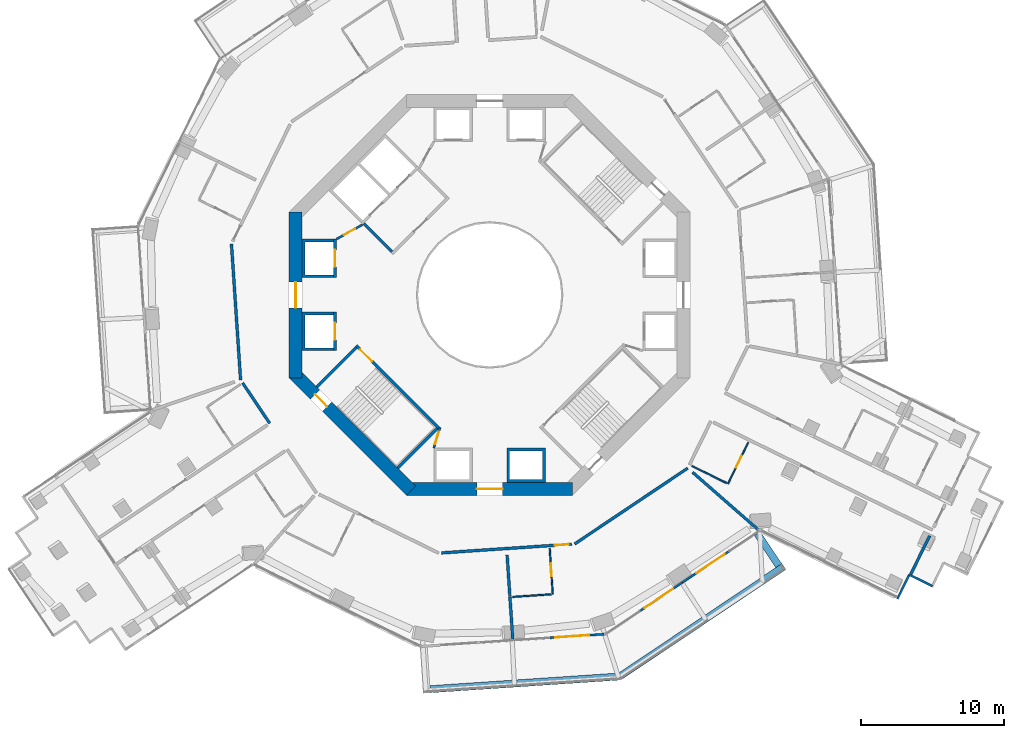
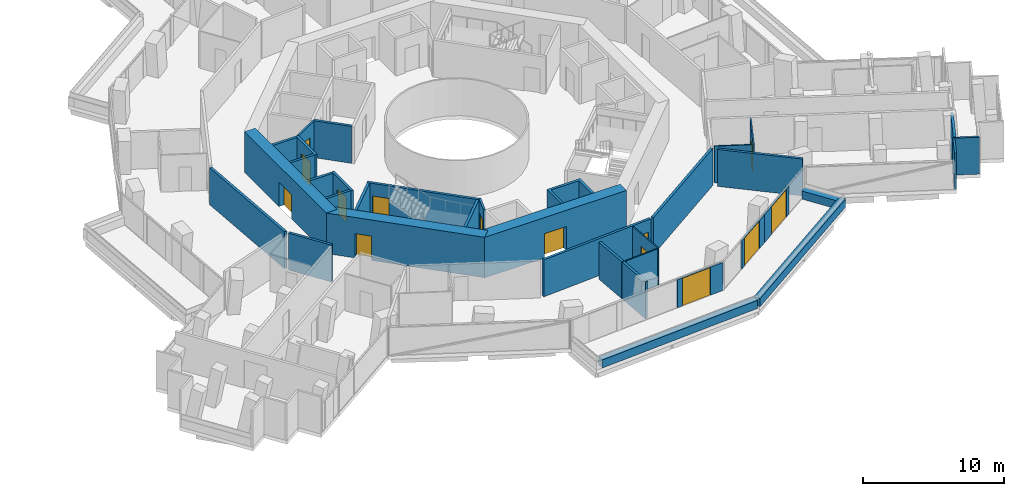
# One storey, part 18 of 25: 34 walls, 14 doors, 14 openings.
"""IFC4 building model written with IfcOpenShell, lengths in metres."""

from ifc_helpers import new_model, si_unit, direction, frame, frame_2d, origin, place, context, subcontext, project, spatial, polyline, rectangle, outline, extrude, material, layer, layer_set, type_object, element, fill, save


model = new_model("IFC4")

# Units and contexts
model_context = context("Model", 3, precision=1e-05, world=origin(), true_north=direction((0.0, 1.0)))
body_context = subcontext(model_context, "Body", "Model", "MODEL_VIEW")
ifc_project = project(units=[si_unit("LENGTHUNIT", "METRE"), si_unit("AREAUNIT", "SQUARE_METRE"), si_unit("VOLUMEUNIT", "CUBIC_METRE"), si_unit("PLANEANGLEUNIT", "RADIAN"), si_unit("MASSUNIT", "GRAM", prefix="KILO")], contexts=[model_context])

# Site, building, storey
site_placement = place(None, origin())
site = spatial("IfcSite", under=ifc_project, at=site_placement, CompositionType="ELEMENT")
building_placement = place(site_placement, origin())
building = spatial("IfcBuilding", under=site, at=building_placement, Name="Verdalira Terraces Hotel", CompositionType="ELEMENT")
storey_placement = place(building_placement, frame((0.0, 0.0, 49.5)))
storey = spatial("IfcBuildingStorey", under=building, at=storey_placement, Name="L10", CompositionType="ELEMENT", Elevation=49.5)

# Walls
ifc_material_1 = material(Name="Concrete C40", Category="concrete")
ifc_layer_1 = layer(ifc_material_1, 0.5)
ifc_layer_set_1 = layer_set([ifc_layer_1], Name="Balcony planter trough with tree")
wall_type_1 = type_object("IfcWallType", Name="Balcony planter trough with tree", PredefinedType="SOLIDWALL", material=ifc_layer_set_1)
wall_1_placement = place(storey_placement, frame((-4.164307, -27.549072, 0.0), z_axis=(0.0, 0.0, 1.0), x_axis=(0.997755321, 0.066965055, 0.0)))
element("IfcWall", 1, at=wall_1_placement, inside=storey, type_object=wall_type_1, Name="Balcony planter", PredefinedType="SOLIDWALL", context=body_context, shape_type="SweptSolid", body=[
    extrude(rectangle(XDim=13.223389, YDim=0.5, at=frame_2d((6.611816, 0.0))), origin(), (0.0, 0.0, 1.0), 0.699951),
])
wall_2_placement = place(storey_placement, frame((9.151855, -26.621582, 0.0), z_axis=(0.0, 0.0, 1.0), x_axis=(0.830602367, 0.55686597, 0.0)))
element("IfcWall", 2, at=wall_2_placement, inside=storey, type_object=wall_type_1, Name="Balcony planter", PredefinedType="SOLIDWALL", context=body_context, shape_type="SweptSolid", body=[
    extrude(rectangle(XDim=13.723389, YDim=0.5, at=frame_2d((6.861816, 0.0))), origin(), (0.0, 0.0, 1.0), 0.699951),
])
wall_3_placement = place(storey_placement, frame((20.203613, -18.910889, 0.0), z_axis=(0.0, 0.0, 1.0), x_axis=(-0.556869339, 0.830600108, 0.0)))
element("IfcWall", 3, at=wall_3_placement, inside=storey, type_object=wall_type_1, Name="Balcony planter", PredefinedType="SOLIDWALL", context=body_context, shape_type="SweptSolid", body=[
    extrude(rectangle(XDim=2.698975, YDim=0.5, at=frame_2d((1.349609, 0.0))), origin(), (0.0, 0.0, 1.0), 0.699951),
])
ifc_material_2 = material(Name="Moisture-resistant gypsum board partition")
ifc_layer_2 = layer(ifc_material_2, 0.10009765625)
ifc_layer_set_2 = layer_set([ifc_layer_2], Name="Bathroom partition 100 mm")
wall_type_2 = type_object("IfcWallType", Name="Bathroom partition 100 mm", PredefinedType="PARTITIONING", material=ifc_layer_set_2)
wall_4_placement = place(storey_placement, frame((4.310547, -20.916504, 0.0), z_axis=(0.0, 0.0, 1.0), x_axis=(-0.997753036, -0.066999094, 0.0)))
element("IfcWall", 4, at=wall_4_placement, inside=storey, type_object=wall_type_2, Name="Bathroom partition", PredefinedType="PARTITIONING", context=body_context, shape_type="SweptSolid", body=[
    extrude(rectangle(XDim=2.700195, YDim=0.100098, at=frame_2d((1.350098, 0.0))), origin(), (0.0, 0.0, 1.0), 3.189941),
])

# Wall, opening, door
wall_5_placement = place(storey_placement, frame((4.410156, -20.909912, 0.0), z_axis=(0.0, 0.0, 1.0), x_axis=(-0.06698486, 0.997753992, 0.0)))
wall_5 = element("IfcWall", 5, at=wall_5_placement, inside=storey, type_object=wall_type_2, Name="Bathroom partition", PredefinedType="PARTITIONING", context=body_context, shape_type="SweptSolid", body=[
    extrude(rectangle(XDim=3.199951, YDim=0.100098, at=frame_2d((1.600098, 0.0))), origin(), (0.0, 0.0, 1.0), 3.189941),
])
opening_1_placement = place(wall_5_placement, frame((1.25, 0.0, 0.0)))
opening_1 = element("IfcOpeningElement", 6, at=opening_1_placement, cuts=wall_5, Name="Opening L10-124", PredefinedType="OPENING", context=body_context, shape_type="SweptSolid", body=[
    extrude(rectangle(XDim=0.899902, YDim=2.100098, at=frame_2d((0.449951, 1.050049))), frame((0.0, 0.060059, 0.0), z_axis=(0.0, -1.0, 0.0), x_axis=(1.0, 0.0, 0.0)), (0.0, 0.0, 1.0), 0.120117),
])
ifc_material_3 = material(Name="Timber door", Category="wood")
door_type_1 = type_object("IfcDoorType", Name="Bathroom door 900 x 2100", OperationType="NOTDEFINED", PredefinedType="DOOR", material=ifc_material_3)
door_1_placement = place(opening_1_placement, origin())
door_1 = element("IfcDoor", 7, at=door_1_placement, inside=storey, type_object=door_type_1, Name="Bathroom door 1010", OperationType="SINGLE_SWING_LEFT", OverallHeight=2.10009765625, OverallWidth=0.89990234375, PredefinedType="DOOR", context=body_context, shape_type="SweptSolid", body=[
    extrude(rectangle(XDim=0.899902, YDim=2.100098, at=frame_2d((0.449951, 1.050049))), frame((0.0, 0.024902, 0.0), z_axis=(0.0, -1.0, 0.0), x_axis=(1.0, 0.0, 0.0)), (0.0, 0.0, 1.0), 0.050049),
])
fill(opening_1, door_1)

# Wall
wall_6_placement = place(storey_placement, frame((16.55835, -13.146973, 0.0), z_axis=(0.0, 0.0, 1.0), x_axis=(-0.897569392, 0.44087321, 0.0)))
element("IfcWall", 8, at=wall_6_placement, inside=storey, type_object=wall_type_2, Name="Bathroom partition", PredefinedType="PARTITIONING", context=body_context, shape_type="SweptSolid", body=[
    extrude(rectangle(XDim=2.700195, YDim=0.100098, at=frame_2d((1.350098, 0.0))), origin(), (0.0, 0.0, 1.0), 3.189941),
])

# Wall, opening, door
wall_7_placement = place(storey_placement, frame((16.647949, -13.190918, 0.0), z_axis=(0.0, 0.0, 1.0), x_axis=(0.440915741, 0.8975485, 0.0)))
wall_7 = element("IfcWall", 9, at=wall_7_placement, inside=storey, type_object=wall_type_2, Name="Bathroom partition", PredefinedType="PARTITIONING", context=body_context, shape_type="SweptSolid", body=[
    extrude(rectangle(XDim=3.199951, YDim=0.100098, at=frame_2d((1.600098, 0.0))), origin(), (0.0, 0.0, 1.0), 3.189941),
])
opening_2_placement = place(wall_7_placement, frame((1.25, 0.0, 0.0)))
opening_2 = element("IfcOpeningElement", 10, at=opening_2_placement, cuts=wall_7, Name="Opening L10-126", PredefinedType="OPENING", context=body_context, shape_type="SweptSolid", body=[
    extrude(rectangle(XDim=0.899902, YDim=2.100098, at=frame_2d((0.449951, 1.050049))), frame((0.0, 0.060059, 0.0), z_axis=(0.0, -1.0, 0.0), x_axis=(1.0, 0.0, 0.0)), (0.0, 0.0, 1.0), 0.120117),
])
door_2_placement = place(opening_2_placement, origin())
door_2 = element("IfcDoor", 11, at=door_2_placement, inside=storey, type_object=door_type_1, Name="Bathroom door 1011", OperationType="SINGLE_SWING_LEFT", OverallHeight=2.10009765625, OverallWidth=0.89990234375, PredefinedType="DOOR", context=body_context, shape_type="SweptSolid", body=[
    extrude(rectangle(XDim=0.899902, YDim=2.100098, at=frame_2d((0.449951, 1.050049))), frame((0.0, 0.024902, 0.0), z_axis=(0.0, -1.0, 0.0), x_axis=(1.0, 0.0, 0.0)), (0.0, 0.0, 1.0), 0.050049),
])
fill(opening_2, door_2)

# Wall
ifc_material_4 = material(Name="Concrete C50", Category="concrete")
ifc_layer_3 = layer(ifc_material_4, 0.199951171875)
ifc_layer_set_3 = layer_set([ifc_layer_3], Name="Core RC wall 200 C50")
wall_type_3 = type_object("IfcWallType", Name="Core RC wall 200 C50", PredefinedType="SOLIDWALL", material=ifc_layer_set_3)
wall_8_placement = place(storey_placement, origin())
element("IfcWall", 12, at=wall_8_placement, inside=storey, type_object=wall_type_3, Name="L10 shaft wall W1", PredefinedType="SOLIDWALL", context=body_context, shape_type="SweptSolid", body=[
    extrude(outline(polyline([(-13.100098, 3.899902), (-10.899902, 3.899902), (-10.899902, 3.699951), (-12.899902, 3.699951), (-12.899902, 1.399902), (-10.899902, 1.399902), (-10.899902, 1.199951), (-13.100098, 1.199951), (-13.100098, 3.899902)])), origin(), (0.0, 0.0, 1.0), 3.189941),
])

# Wall, opening, door
wall_9_placement = place(storey_placement, frame((-10.800049, 1.199951, 0.0), z_axis=(0.0, 0.0, 1.0), x_axis=(0.0, 1.0, 0.0)))
wall_9 = element("IfcWall", 13, at=wall_9_placement, inside=storey, type_object=wall_type_3, Name="L10 shaft front wall W1", PredefinedType="SOLIDWALL", context=body_context, shape_type="SweptSolid", body=[
    extrude(rectangle(XDim=2.699951, YDim=0.199951, at=frame_2d((1.350098, 0.0))), origin(), (0.0, 0.0, 1.0), 3.189941),
])
opening_3_placement = place(wall_9_placement, frame((0.75, 0.0, 0.0)))
opening_3 = element("IfcOpeningElement", 14, at=opening_3_placement, cuts=wall_9, Name="Opening LD-L10-805", PredefinedType="OPENING", context=body_context, shape_type="SweptSolid", body=[
    extrude(rectangle(XDim=1.199951, YDim=2.100098, at=frame_2d((0.600098, 1.050049))), frame((0.0, 0.109863, 0.0), z_axis=(0.0, -1.0, 0.0), x_axis=(1.0, 0.0, 0.0)), (0.0, 0.0, 1.0), 0.219971),
])
ifc_material_5 = material(Name="Stainless steel", Category="steel")
door_type_2 = type_object("IfcDoorType", Name="Landing door 1200 x 2100", OperationType="NOTDEFINED", PredefinedType="DOOR", material=ifc_material_5)
door_3_placement = place(opening_3_placement, origin())
door_3 = element("IfcDoor", 15, at=door_3_placement, inside=storey, type_object=door_type_2, Name="Lift landing door LR5 L10", OperationType="DOUBLE_DOOR_SLIDING", OverallHeight=2.10009765625, OverallWidth=1.199951171875, PredefinedType="DOOR", context=body_context, shape_type="SweptSolid", body=[
    extrude(rectangle(XDim=1.199951, YDim=2.100098, at=frame_2d((0.600098, 1.050049))), frame((0.0, 0.024902, 0.0), z_axis=(0.0, -1.0, 0.0), x_axis=(1.0, 0.0, 0.0)), (0.0, 0.0, 1.0), 0.050049),
])
fill(opening_3, door_3)

# Wall
wall_10_placement = place(storey_placement, origin())
element("IfcWall", 16, at=wall_10_placement, inside=storey, type_object=wall_type_3, Name="L10 shaft wall W2", PredefinedType="SOLIDWALL", context=body_context, shape_type="SweptSolid", body=[
    extrude(outline(polyline([(-13.100098, -3.899902), (-13.100098, -1.199951), (-10.899902, -1.199951), (-10.899902, -1.399902), (-12.899902, -1.399902), (-12.899902, -3.699951), (-10.899902, -3.699951), (-10.899902, -3.899902), (-13.100098, -3.899902)])), origin(), (0.0, 0.0, 1.0), 3.189941),
])

# Wall, opening, door
wall_11_placement = place(storey_placement, frame((-10.800049, -1.199951, 0.0), z_axis=(0.0, 0.0, 1.0), x_axis=(0.0, -1.0, 0.0)))
wall_11 = element("IfcWall", 17, at=wall_11_placement, inside=storey, type_object=wall_type_3, Name="L10 shaft front wall W2", PredefinedType="SOLIDWALL", context=body_context, shape_type="SweptSolid", body=[
    extrude(rectangle(XDim=2.699951, YDim=0.199951, at=frame_2d((1.350098, 0.0))), origin(), (0.0, 0.0, 1.0), 3.189941),
])
opening_4_placement = place(wall_11_placement, frame((0.75, 0.0, 0.0)))
opening_4 = element("IfcOpeningElement", 18, at=opening_4_placement, cuts=wall_11, Name="Opening LD-L10-806", PredefinedType="OPENING", context=body_context, shape_type="SweptSolid", body=[
    extrude(rectangle(XDim=1.199951, YDim=2.100098, at=frame_2d((0.600098, 1.050049))), frame((0.0, 0.109863, 0.0), z_axis=(0.0, -1.0, 0.0), x_axis=(1.0, 0.0, 0.0)), (0.0, 0.0, 1.0), 0.219971),
])
door_4_placement = place(opening_4_placement, origin())
door_4 = element("IfcDoor", 19, at=door_4_placement, inside=storey, type_object=door_type_2, Name="Lift landing door LR6 L10", OperationType="DOUBLE_DOOR_SLIDING", OverallHeight=2.10009765625, OverallWidth=1.199951171875, PredefinedType="DOOR", context=body_context, shape_type="SweptSolid", body=[
    extrude(rectangle(XDim=1.199951, YDim=2.100098, at=frame_2d((0.600098, 1.050049))), frame((0.0, 0.024902, 0.0), z_axis=(0.0, -1.0, 0.0), x_axis=(1.0, 0.0, 0.0)), (0.0, 0.0, 1.0), 0.050049),
])
fill(opening_4, door_4)

# Wall
wall_12_placement = place(storey_placement, origin())
element("IfcWall", 20, at=wall_12_placement, inside=storey, type_object=wall_type_3, Name="L10 shaft wall S2", PredefinedType="SOLIDWALL", context=body_context, shape_type="SweptSolid", body=[
    extrude(outline(polyline([(3.899902, -10.699951), (3.899902, -13.100098), (1.199951, -13.100098), (1.199951, -10.699951), (3.899902, -10.699951)]), holes=[polyline([(1.399902, -12.899902), (3.699951, -12.899902), (3.699951, -10.899902), (1.399902, -10.899902), (1.399902, -12.899902)])]), origin(), (0.0, 0.0, 1.0), 3.189941),
])

# Wall, opening, door
wall_13_placement = place(storey_placement, frame((-3.5354, -9.33374, 0.0), z_axis=(0.0, 0.0, 1.0), x_axis=(-0.707106781, 0.707106781, 0.0)))
wall_13 = element("IfcWall", 21, at=wall_13_placement, inside=storey, type_object=wall_type_3, Name="L10 stair ST2 front wall", PredefinedType="SOLIDWALL", context=body_context, shape_type="SweptSolid", body=[
    extrude(rectangle(XDim=8.200195, YDim=0.199951, at=frame_2d((4.100098, 0.0))), origin(), (0.0, 0.0, 1.0), 3.189941),
])
opening_5_placement = place(wall_13_placement, frame((6.600098, 0.0, 0.0)))
opening_5 = element("IfcOpeningElement", 22, at=opening_5_placement, cuts=wall_13, Name="Opening L10-810", PredefinedType="OPENING", context=body_context, shape_type="SweptSolid", body=[
    extrude(rectangle(XDim=1.199951, YDim=2.100098, at=frame_2d((0.600098, 1.050049))), frame((0.0, 0.109863, 0.0), z_axis=(0.0, -1.0, 0.0), x_axis=(1.0, 0.0, 0.0)), (0.0, 0.0, 1.0), 0.219971),
])
ifc_material_6 = material(Name="Steel fire door", Category="steel")
door_type_3 = type_object("IfcDoorType", Name="Stair door 1200 x 2100", OperationType="NOTDEFINED", PredefinedType="DOOR", material=ifc_material_6)
door_5_placement = place(opening_5_placement, origin())
door_5 = element("IfcDoor", 23, at=door_5_placement, inside=storey, type_object=door_type_3, Name="Stair door ST2 L10", OperationType="SINGLE_SWING_RIGHT", OverallHeight=2.10009765625, OverallWidth=1.199951171875, PredefinedType="DOOR", context=body_context, shape_type="SweptSolid", body=[
    extrude(rectangle(XDim=1.199951, YDim=2.100098, at=frame_2d((0.600098, 1.050049))), frame((0.0, 0.024902, 0.0), z_axis=(0.0, -1.0, 0.0), x_axis=(1.0, 0.0, 0.0)), (0.0, 0.0, 1.0), 0.050049),
])
fill(opening_5, door_5)

# Walls
for number, where, z_axis, x_axis, name in (
    (24, (-9.33374, -3.677002, 0.0), (0.0, 0.0, 1.0), (-0.707106781, -0.707106781, 0.0), "L10 stair ST2 end wall 1"),
    (25, (-3.677002, -9.33374, 0.0), (0.0, 0.0, 1.0), (-0.707106781, -0.707106781, 0.0), "L10 stair ST2 end wall 2"),
):
    element("IfcWall", number, at=place(storey_placement, frame(where, z_axis=z_axis, x_axis=x_axis)), inside=storey, type_object=wall_type_3, Name=name, PredefinedType="SOLIDWALL", context=body_context, shape_type="SweptSolid", body=[
        extrude(rectangle(XDim=3.900146, YDim=0.199951, at=frame_2d((1.950195, 0.0))), origin(), (0.0, 0.0, 1.0), 3.189941),
    ])
wall_14_placement = place(storey_placement, frame((-6.823486, 3.005127, 0.0), z_axis=(0.0, 0.0, 1.0), x_axis=(-0.707106781, 0.707106781, 0.0)))
element("IfcWall", 26, at=wall_14_placement, inside=storey, type_object=wall_type_3, Name="L10 fire lobby wall", PredefinedType="SOLIDWALL", context=body_context, shape_type="SweptSolid", body=[
    extrude(rectangle(XDim=2.800049, YDim=0.199951, at=frame_2d((1.399902, 0.0))), origin(), (0.0, 0.0, 1.0), 3.189941),
])

# Wall, opening, door
ifc_material_7 = material(Name="Gypsum board partition")
ifc_layer_4 = layer(ifc_material_7, 0.14990234375)
ifc_layer_set_4 = layer_set([ifc_layer_4], Name="Core partition 150 mm")
wall_type_4 = type_object("IfcWallType", Name="Core partition 150 mm", PredefinedType="PARTITIONING", material=ifc_layer_set_4)
wall_15_placement = place(storey_placement, frame((-8.874268, 4.914307, 0.0), z_axis=(0.0, 0.0, 1.0), x_axis=(-0.874129705, -0.485692555, 0.0)))
wall_15 = element("IfcWall", 27, at=wall_15_placement, inside=storey, type_object=wall_type_4, Name="Room partition L10", PredefinedType="PARTITIONING", context=body_context, shape_type="SweptSolid", body=[
    extrude(rectangle(XDim=2.088623, YDim=0.149902, at=frame_2d((1.044434, 0.0))), origin(), (0.0, 0.0, 1.0), 3.189941),
])
opening_6_placement = place(wall_15_placement, frame((0.594238, 0.0, 0.0)))
opening_6 = element("IfcOpeningElement", 28, at=opening_6_placement, cuts=wall_15, Name="Opening L10-822", PredefinedType="OPENING", context=body_context, shape_type="SweptSolid", body=[
    extrude(rectangle(XDim=0.899902, YDim=2.100098, at=frame_2d((0.449951, 1.050049))), frame((0.0, 0.084961, 0.0), z_axis=(0.0, -1.0, 0.0), x_axis=(1.0, 0.0, 0.0)), (0.0, 0.0, 1.0), 0.169922),
])
ifc_material_8 = material(Name="Steel fire door", Category="steel")
door_type_4 = type_object("IfcDoorType", Name="Core room door 900 x 2100", OperationType="NOTDEFINED", PredefinedType="DOOR", material=ifc_material_8)
door_6_placement = place(opening_6_placement, origin())
door_6 = element("IfcDoor", 29, at=door_6_placement, inside=storey, type_object=door_type_4, Name="Door L10 room3", OperationType="SINGLE_SWING_LEFT", OverallHeight=2.10009765625, OverallWidth=0.89990234375, PredefinedType="DOOR", context=body_context, shape_type="SweptSolid", body=[
    extrude(rectangle(XDim=0.899902, YDim=2.100098, at=frame_2d((0.449951, 1.050049))), frame((0.0, 0.024902, 0.0), z_axis=(0.0, -1.0, 0.0), x_axis=(1.0, 0.0, 0.0)), (0.0, 0.0, 1.0), 0.050049),
])
fill(opening_6, door_6)

wall_16_placement = place(storey_placement, frame((-3.464844, -9.263184, 0.0), z_axis=(0.0, 0.0, 1.0), x_axis=(-0.289808785, -0.957084567, 0.0)))
wall_16 = element("IfcWall", 30, at=wall_16_placement, inside=storey, type_object=wall_type_4, Name="Room partition L10", PredefinedType="PARTITIONING", context=body_context, shape_type="SweptSolid", body=[
    extrude(rectangle(XDim=1.501221, YDim=0.149902, at=frame_2d((0.750488, 0.0))), origin(), (0.0, 0.0, 1.0), 3.189941),
])
opening_7_placement = place(wall_16_placement, frame((0.300781, 0.0, 0.0)))
opening_7 = element("IfcOpeningElement", 31, at=opening_7_placement, cuts=wall_16, Name="Opening L10-823", PredefinedType="OPENING", context=body_context, shape_type="SweptSolid", body=[
    extrude(rectangle(XDim=0.899902, YDim=2.100098, at=frame_2d((0.449951, 1.050049))), frame((0.0, 0.084961, 0.0), z_axis=(0.0, -1.0, 0.0), x_axis=(1.0, 0.0, 0.0)), (0.0, 0.0, 1.0), 0.169922),
])
door_7_placement = place(opening_7_placement, origin())
door_7 = element("IfcDoor", 32, at=door_7_placement, inside=storey, type_object=door_type_4, Name="Door L10 room5", OperationType="SINGLE_SWING_LEFT", OverallHeight=2.10009765625, OverallWidth=0.89990234375, PredefinedType="DOOR", context=body_context, shape_type="SweptSolid", body=[
    extrude(rectangle(XDim=0.899902, YDim=2.100098, at=frame_2d((0.449951, 1.050049))), frame((0.0, 0.024902, 0.0), z_axis=(0.0, -1.0, 0.0), x_axis=(1.0, 0.0, 0.0)), (0.0, 0.0, 1.0), 0.050049),
])
fill(opening_7, door_7)

ifc_material_9 = material(Name="Concrete C70", Category="concrete")
ifc_layer_5 = layer(ifc_material_9, 0.89990234375)
ifc_layer_set_5 = layer_set([ifc_layer_5], Name="Core wall 900 C70")
wall_type_5 = type_object("IfcWallType", Name="Core wall 900 C70", PredefinedType="SHEAR", material=ifc_layer_set_5)
wall_17_placement = place(storey_placement, frame((-13.550049, 5.799072, 0.0), z_axis=(0.0, 0.0, 1.0), x_axis=(0.0, -1.0, 0.0)))
wall_17 = element("IfcWall", 33, at=wall_17_placement, inside=storey, type_object=wall_type_5, Name="Core wall CW-L10-5", PredefinedType="SHEAR", context=body_context, shape_type="SweptSolid", body=[
    extrude(rectangle(XDim=11.598145, YDim=0.899902, at=frame_2d((5.799072, 0.0))), origin(), (0.0, 0.0, 1.0), 3.5),
])
opening_8_placement = place(wall_17_placement, frame((4.898926, 0.0, 0.0)))
opening_8 = element("IfcOpeningElement", 34, at=opening_8_placement, cuts=wall_17, Name="Opening L10-814", PredefinedType="OPENING", context=body_context, shape_type="SweptSolid", body=[
    extrude(rectangle(XDim=1.800049, YDim=2.100098, at=frame_2d((0.899902, 1.050049))), frame((0.0, 0.459961, 0.0), z_axis=(0.0, -1.0, 0.0), x_axis=(1.0, 0.0, 0.0)), (0.0, 0.0, 1.0), 0.919922),
])
ifc_material_10 = material(Name="Steel fire door", Category="steel")
door_type_5 = type_object("IfcDoorType", Name="Core entry door pair 1800 x 2100", OperationType="NOTDEFINED", PredefinedType="DOOR", material=ifc_material_10)
door_8_placement = place(opening_8_placement, origin())
door_8 = element("IfcDoor", 35, at=door_8_placement, inside=storey, type_object=door_type_5, Name="Core entry door L10 4", OperationType="DOUBLE_DOOR_SINGLE_SWING", OverallHeight=2.10009765625, OverallWidth=1.800048828125, PredefinedType="DOOR", context=body_context, shape_type="SweptSolid", body=[
    extrude(rectangle(XDim=1.800049, YDim=2.100098, at=frame_2d((0.899902, 1.050049))), frame((0.0, 0.024902, 0.0), z_axis=(0.0, -1.0, 0.0), x_axis=(1.0, 0.0, 0.0)), (0.0, 0.0, 1.0), 0.050049),
])
fill(opening_8, door_8)

wall_18_placement = place(storey_placement, frame((-13.681885, -5.480713, 0.0), z_axis=(0.0, 0.0, 1.0), x_axis=(0.707106781, -0.707106781, 0.0)))
wall_18 = element("IfcWall", 36, at=wall_18_placement, inside=storey, type_object=wall_type_5, Name="Core wall CW-L10-6", PredefinedType="SHEAR", context=body_context, shape_type="SweptSolid", body=[
    extrude(rectangle(XDim=11.598145, YDim=0.899902, at=frame_2d((5.799072, 0.0))), origin(), (0.0, 0.0, 1.0), 3.5),
])
opening_9_placement = place(wall_18_placement, frame((2.099121, 0.0, 0.0)))
opening_9 = element("IfcOpeningElement", 37, at=opening_9_placement, cuts=wall_18, Name="Opening L10-817", PredefinedType="OPENING", context=body_context, shape_type="SweptSolid", body=[
    extrude(rectangle(XDim=1.199951, YDim=2.100098, at=frame_2d((0.600098, 1.050049))), frame((0.0, 0.459961, 0.0), z_axis=(0.0, -1.0, 0.0), x_axis=(1.0, 0.0, 0.0)), (0.0, 0.0, 1.0), 0.919922),
])
door_9_placement = place(opening_9_placement, origin())
door_9 = element("IfcDoor", 38, at=door_9_placement, inside=storey, type_object=door_type_3, Name="Stair exit door ST2 L10", OperationType="SINGLE_SWING_LEFT", OverallHeight=2.10009765625, OverallWidth=1.199951171875, PredefinedType="DOOR", context=body_context, shape_type="SweptSolid", body=[
    extrude(rectangle(XDim=1.199951, YDim=2.100098, at=frame_2d((0.600098, 1.050049))), frame((0.0, 0.024902, 0.0), z_axis=(0.0, -1.0, 0.0), x_axis=(1.0, 0.0, 0.0)), (0.0, 0.0, 1.0), 0.050049),
])
fill(opening_9, door_9)

wall_19_placement = place(storey_placement, frame((-5.799072, -13.550049, 0.0), z_axis=(0.0, 0.0, 1.0), x_axis=(1.0, 0.0, 0.0)))
wall_19 = element("IfcWall", 39, at=wall_19_placement, inside=storey, type_object=wall_type_5, Name="Core wall CW-L10-7", PredefinedType="SHEAR", context=body_context, shape_type="SweptSolid", body=[
    extrude(rectangle(XDim=11.598145, YDim=0.899902, at=frame_2d((5.799072, 0.0))), origin(), (0.0, 0.0, 1.0), 3.5),
])
opening_10_placement = place(wall_19_placement, frame((4.898926, 0.0, 0.0)))
opening_10 = element("IfcOpeningElement", 40, at=opening_10_placement, cuts=wall_19, Name="Opening L10-815", PredefinedType="OPENING", context=body_context, shape_type="SweptSolid", body=[
    extrude(rectangle(XDim=1.800049, YDim=2.100098, at=frame_2d((0.899902, 1.050049))), frame((0.0, 0.459961, 0.0), z_axis=(0.0, -1.0, 0.0), x_axis=(1.0, 0.0, 0.0)), (0.0, 0.0, 1.0), 0.919922),
])
door_10_placement = place(opening_10_placement, origin())
door_10 = element("IfcDoor", 41, at=door_10_placement, inside=storey, type_object=door_type_5, Name="Core entry door L10 6", OperationType="DOUBLE_DOOR_SINGLE_SWING", OverallHeight=2.10009765625, OverallWidth=1.800048828125, PredefinedType="DOOR", context=body_context, shape_type="SweptSolid", body=[
    extrude(rectangle(XDim=1.800049, YDim=2.100098, at=frame_2d((0.899902, 1.050049))), frame((0.0, 0.024902, 0.0), z_axis=(0.0, -1.0, 0.0), x_axis=(1.0, 0.0, 0.0)), (0.0, 0.0, 1.0), 0.050049),
])
fill(opening_10, door_10)

# Walls
ifc_material_11 = material(Name="Fire-rated gypsum board wall")
ifc_layer_6 = layer(ifc_material_11, 0.199951171875)
ifc_layer_set_6 = layer_set([ifc_layer_6], Name="Demising wall 200 mm")
wall_type_6 = type_object("IfcWallType", Name="Demising wall 200 mm", PredefinedType="SOLIDWALL", material=ifc_layer_set_6)
wall_20_placement = place(storey_placement, frame((1.219238, -18.164795, 0.0), z_axis=(0.0, 0.0, 1.0), x_axis=(0.066987599, -0.997753808, 0.0)))
element("IfcWall", 42, at=wall_20_placement, inside=storey, type_object=wall_type_6, Name="Demising wall", PredefinedType="SOLIDWALL", context=body_context, shape_type="SweptSolid", body=[
    extrude(rectangle(XDim=2.904785, YDim=0.199951, at=frame_2d((1.452393, 0.0))), origin(), (0.0, 0.0, 1.0), 3.189941),
])
wall_21_placement = place(storey_placement, frame((1.416748, -21.108887, 0.0), z_axis=(0.0, 0.0, 1.0), x_axis=(0.066991081, -0.997753574, 0.0)))
element("IfcWall", 43, at=wall_21_placement, inside=storey, type_object=wall_type_6, Name="Demising wall", PredefinedType="SOLIDWALL", context=body_context, shape_type="SweptSolid", body=[
    extrude(rectangle(XDim=2.951904, YDim=0.199951, at=frame_2d((1.476074, 0.0))), origin(), (0.0, 0.0, 1.0), 3.189941),
])
wall_22_placement = place(storey_placement, frame((14.178223, -12.394531, 0.0), z_axis=(0.0, 0.0, 1.0), x_axis=(0.752877509, -0.658160661, 0.0)))
element("IfcWall", 44, at=wall_22_placement, inside=storey, type_object=wall_type_6, Name="Demising wall", PredefinedType="SOLIDWALL", context=body_context, shape_type="SweptSolid", body=[
    extrude(rectangle(XDim=6.13208, YDim=0.199951, at=frame_2d((3.065918, 0.0))), origin(), (0.0, 0.0, 1.0), 3.189941),
])
wall_23_placement = place(storey_placement, frame((30.739746, -16.822998, 0.0), z_axis=(0.0, 0.0, 1.0), x_axis=(-0.440864836, -0.897573505, 0.0)))
element("IfcWall", 45, at=wall_23_placement, inside=storey, type_object=wall_type_6, Name="Demising wall", PredefinedType="SOLIDWALL", context=body_context, shape_type="SweptSolid", body=[
    extrude(rectangle(XDim=3.004883, YDim=0.199951, at=frame_2d((1.502441, 0.0))), origin(), (0.0, 0.0, 1.0), 3.189941),
])
ifc_material_12 = material(Name="Fire-rated gypsum board wall")
ifc_layer_7 = layer(ifc_material_12, 0.199951171875)
ifc_layer_set_7 = layer_set([ifc_layer_7], Name="Guest corridor wall 200 mm")
wall_type_7 = type_object("IfcWallType", Name="Guest corridor wall 200 mm", PredefinedType="SOLIDWALL", material=ifc_layer_set_7)
wall_24_placement = place(storey_placement, frame((-18.037109, 3.557861, 0.0), z_axis=(0.0, 0.0, 1.0), x_axis=(0.066960023, -0.997755659, 0.0)))
element("IfcWall", 46, at=wall_24_placement, inside=storey, type_object=wall_type_7, Name="Guest corridor wall", PredefinedType="SOLIDWALL", context=body_context, shape_type="SweptSolid", body=[
    extrude(rectangle(XDim=9.516113, YDim=0.199951, at=frame_2d((4.758057, 0.0))), origin(), (0.0, 0.0, 1.0), 3.189941),
])
wall_25_placement = place(storey_placement, frame((-17.255859, -6.151611, 0.0), z_axis=(0.0, 0.0, 1.0), x_axis=(0.556869112, -0.83060026, 0.0)))
element("IfcWall", 47, at=wall_25_placement, inside=storey, type_object=wall_type_7, Name="Guest corridor wall", PredefinedType="SOLIDWALL", context=body_context, shape_type="SweptSolid", body=[
    extrude(rectangle(XDim=3.399902, YDim=0.199951, at=frame_2d((1.699951, 0.0))), origin(), (0.0, 0.0, 1.0), 3.189941),
])

# Wall, opening, door
wall_26_placement = place(storey_placement, frame((5.736816, -17.413086, 0.0), z_axis=(0.0, 0.0, 1.0), x_axis=(-0.99775412, -0.066982956, 0.0)))
wall_26 = element("IfcWall", 48, at=wall_26_placement, inside=storey, type_object=wall_type_7, Name="Guest corridor wall", PredefinedType="SOLIDWALL", context=body_context, shape_type="SweptSolid", body=[
    extrude(rectangle(XDim=9.115723, YDim=0.199951, at=frame_2d((4.557861, 0.0))), origin(), (0.0, 0.0, 1.0), 3.189941),
])
opening_11_placement = place(wall_26_placement, frame((0.199951, 0.0, 0.0)))
opening_11 = element("IfcOpeningElement", 49, at=opening_11_placement, cuts=wall_26, Name="Opening L10-123", PredefinedType="OPENING", context=body_context, shape_type="SweptSolid", body=[
    extrude(rectangle(XDim=1.0, YDim=2.100098, at=frame_2d((0.5, 1.050049))), frame((0.0, 0.109863, 0.0), z_axis=(0.0, -1.0, 0.0), x_axis=(1.0, 0.0, 0.0)), (0.0, 0.0, 1.0), 0.219971),
])
ifc_material_13 = material(Name="Timber fire door", Category="wood")
door_type_6 = type_object("IfcDoorType", Name="Guest entry door 1000 x 2100", OperationType="NOTDEFINED", PredefinedType="DOOR", material=ifc_material_13)
door_11_placement = place(opening_11_placement, origin())
door_11 = element("IfcDoor", 50, at=door_11_placement, inside=storey, type_object=door_type_6, Name="Guest entry door 1010", OperationType="SINGLE_SWING_LEFT", OverallHeight=2.10009765625, OverallWidth=1.0, PredefinedType="DOOR", context=body_context, shape_type="SweptSolid", body=[
    extrude(rectangle(XDim=1.0, YDim=2.100098, at=frame_2d((0.5, 1.050049))), frame((0.0, 0.024902, 0.0), z_axis=(0.0, -1.0, 0.0), x_axis=(1.0, 0.0, 0.0)), (0.0, 0.0, 1.0), 0.050049),
])
fill(opening_11, door_11)

# Walls
wall_27_placement = place(storey_placement, frame((5.9375, -17.399414, 0.0), z_axis=(0.0, 0.0, 1.0), x_axis=(0.830586993, 0.5568889, 0.0)))
element("IfcWall", 51, at=wall_27_placement, inside=storey, type_object=wall_type_7, Name="Guest corridor wall", PredefinedType="SOLIDWALL", context=body_context, shape_type="SweptSolid", body=[
    extrude(rectangle(XDim=9.515869, YDim=0.199951, at=frame_2d((4.757812, 0.0))), origin(), (0.0, 0.0, 1.0), 3.189941),
])
ifc_material_14 = material(Name="Terracotta cladding", Category="masonry")
ifc_layer_8 = layer(ifc_material_14, 0.14990234375)
ifc_layer_set_8 = layer_set([ifc_layer_8], Name="Terracotta clad wall 150")
wall_type_8 = type_object("IfcWallType", Name="Terracotta clad wall 150", PredefinedType="SOLIDWALL", material=ifc_layer_set_8)
wall_28_placement = place(storey_placement, frame((28.489014, -21.235352, 0.0), z_axis=(0.0, 0.0, 1.0), x_axis=(0.440900199, 0.897556134, 0.0)))
element("IfcWall", 52, at=wall_28_placement, inside=storey, type_object=wall_type_8, Name="Terracotta cladding wall", PredefinedType="SOLIDWALL", context=body_context, shape_type="SweptSolid", body=[
    extrude(rectangle(XDim=1.875, YDim=0.149902, at=frame_2d((0.9375, 0.0))), origin(), (0.0, 0.0, 1.0), 3.189941),
])
wall_29_placement = place(storey_placement, frame((29.315674, -19.55249, 0.0), z_axis=(0.0, 0.0, 1.0), x_axis=(0.897578811, -0.440854033, 0.0)))
element("IfcWall", 53, at=wall_29_placement, inside=storey, type_object=wall_type_8, Name="Terracotta cladding wall", PredefinedType="SOLIDWALL", context=body_context, shape_type="SweptSolid", body=[
    extrude(rectangle(XDim=1.799805, YDim=0.149902, at=frame_2d((0.899902, 0.0))), origin(), (0.0, 0.0, 1.0), 3.189941),
])

# Wall, opening, door
ifc_material_15 = material(Name="Terracotta cladding", Category="masonry")
ifc_layer_9 = layer(ifc_material_15, 0.14990234375)
ifc_layer_set_9 = layer_set([ifc_layer_9], Name="Terracotta door pier 150")
wall_type_9 = type_object("IfcWallType", Name="Terracotta door pier 150", PredefinedType="SOLIDWALL", material=ifc_layer_set_9)
wall_30_placement = place(storey_placement, frame((4.172119, -23.957764, 0.0), z_axis=(0.0, 0.0, 1.0), x_axis=(0.997754118, 0.066982983, 0.0)))
wall_30 = element("IfcWall", 54, at=wall_30_placement, inside=storey, type_object=wall_type_9, Name="Terracotta door pier", PredefinedType="SOLIDWALL", context=body_context, shape_type="SweptSolid", body=[
    extrude(rectangle(XDim=3.841553, YDim=0.149902, at=frame_2d((1.920898, 0.0))), origin(), (0.0, 0.0, 1.0), 2.425049),
])
opening_12_placement = place(wall_30_placement, frame((0.399902, 0.0, 0.0)))
opening_12 = element("IfcOpeningElement", 55, at=opening_12_placement, cuts=wall_30, Name="Opening L10-B12", PredefinedType="OPENING", context=body_context, shape_type="SweptSolid", body=[
    extrude(rectangle(XDim=2.399902, YDim=2.399902, at=frame_2d((1.199951, 1.199951))), frame((0.0, 0.084961, 0.0), z_axis=(0.0, -1.0, 0.0), x_axis=(1.0, 0.0, 0.0)), (0.0, 0.0, 1.0), 0.169922),
])
ifc_material_16 = material(Name="Clear glass", Category="glass")
door_type_7 = type_object("IfcDoorType", Name="Balcony sliding door 2400x2400", OperationType="NOTDEFINED", PredefinedType="DOOR", material=ifc_material_16)
door_12_placement = place(opening_12_placement, origin())
door_12 = element("IfcDoor", 56, at=door_12_placement, inside=storey, type_object=door_type_7, Name="Balcony sliding door", OperationType="SLIDING_TO_RIGHT", OverallHeight=2.39990234375, OverallWidth=2.39990234375, PredefinedType="DOOR", context=body_context, shape_type="SweptSolid", body=[
    extrude(rectangle(XDim=2.399902, YDim=2.399902, at=frame_2d((1.199951, 1.199951))), frame((0.0, 0.024902, 0.0), z_axis=(0.0, -1.0, 0.0), x_axis=(1.0, 0.0, 0.0)), (0.0, 0.0, 1.0), 0.050049),
])
fill(opening_12, door_12)

wall_31_placement = place(storey_placement, frame((10.477051, -22.091309, 0.0), z_axis=(0.0, 0.0, 1.0), x_axis=(0.830597136, 0.556873772, 0.0)))
wall_31 = element("IfcWall", 57, at=wall_31_placement, inside=storey, type_object=wall_type_9, Name="Terracotta door pier", PredefinedType="SOLIDWALL", context=body_context, shape_type="SweptSolid", body=[
    extrude(rectangle(XDim=3.599854, YDim=0.149902, at=frame_2d((1.799805, 0.0))), origin(), (0.0, 0.0, 1.0), 2.425049),
])
opening_13_placement = place(wall_31_placement, frame((0.399902, 0.0, 0.0)))
opening_13 = element("IfcOpeningElement", 58, at=opening_13_placement, cuts=wall_31, Name="Opening L10-B13", PredefinedType="OPENING", context=body_context, shape_type="SweptSolid", body=[
    extrude(rectangle(XDim=2.399902, YDim=2.399902, at=frame_2d((1.199951, 1.199951))), frame((0.0, 0.084961, 0.0), z_axis=(0.0, -1.0, 0.0), x_axis=(1.0, 0.0, 0.0)), (0.0, 0.0, 1.0), 0.169922),
])
door_13_placement = place(opening_13_placement, origin())
door_13 = element("IfcDoor", 59, at=door_13_placement, inside=storey, type_object=door_type_7, Name="Balcony sliding door", OperationType="SLIDING_TO_RIGHT", OverallHeight=2.39990234375, OverallWidth=2.39990234375, PredefinedType="DOOR", context=body_context, shape_type="SweptSolid", body=[
    extrude(rectangle(XDim=2.399902, YDim=2.399902, at=frame_2d((1.199951, 1.199951))), frame((0.0, 0.024902, 0.0), z_axis=(0.0, -1.0, 0.0), x_axis=(1.0, 0.0, 0.0)), (0.0, 0.0, 1.0), 0.050049),
])
fill(opening_13, door_13)

wall_32_placement = place(storey_placement, frame((13.467041, -20.08667, 0.0), z_axis=(0.0, 0.0, 1.0), x_axis=(0.830586929, 0.556888995, 0.0)))
wall_32 = element("IfcWall", 60, at=wall_32_placement, inside=storey, type_object=wall_type_9, Name="Terracotta door pier", PredefinedType="SOLIDWALL", context=body_context, shape_type="SweptSolid", body=[
    extrude(rectangle(XDim=3.960449, YDim=0.149902, at=frame_2d((1.980225, 0.0))), origin(), (0.0, 0.0, 1.0), 2.425049),
])
opening_14_placement = place(wall_32_placement, frame((1.1604, 0.0, 0.0)))
opening_14 = element("IfcOpeningElement", 61, at=opening_14_placement, cuts=wall_32, Name="Opening L10-B14", PredefinedType="OPENING", context=body_context, shape_type="SweptSolid", body=[
    extrude(rectangle(XDim=2.399902, YDim=2.399902, at=frame_2d((1.199951, 1.199951))), frame((0.0, 0.084961, 0.0), z_axis=(0.0, -1.0, 0.0), x_axis=(1.0, 0.0, 0.0)), (0.0, 0.0, 1.0), 0.169922),
])
door_14_placement = place(opening_14_placement, origin())
door_14 = element("IfcDoor", 62, at=door_14_placement, inside=storey, type_object=door_type_7, Name="Balcony sliding door", OperationType="SLIDING_TO_LEFT", OverallHeight=2.39990234375, OverallWidth=2.39990234375, PredefinedType="DOOR", context=body_context, shape_type="SweptSolid", body=[
    extrude(rectangle(XDim=2.399902, YDim=2.399902, at=frame_2d((1.199951, 1.199951))), frame((0.0, 0.024902, 0.0), z_axis=(0.0, -1.0, 0.0), x_axis=(1.0, 0.0, 0.0)), (0.0, 0.0, 1.0), 0.050049),
])
fill(opening_14, door_14)

save(model, "model.ifc")
